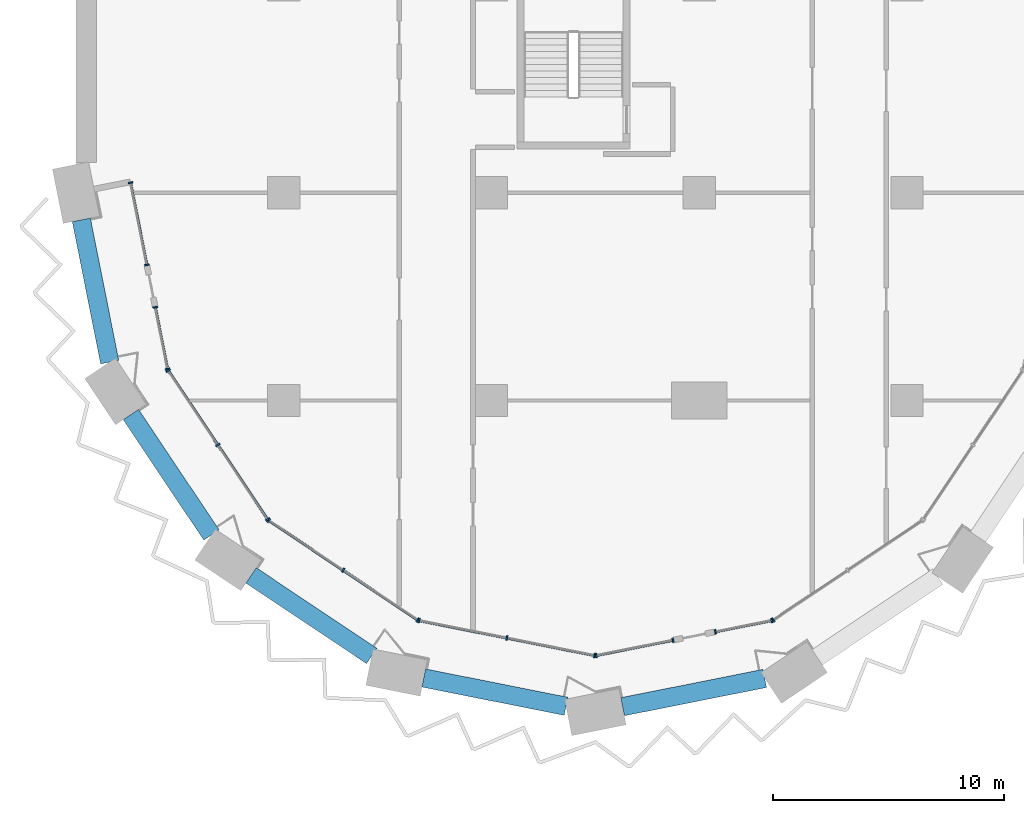
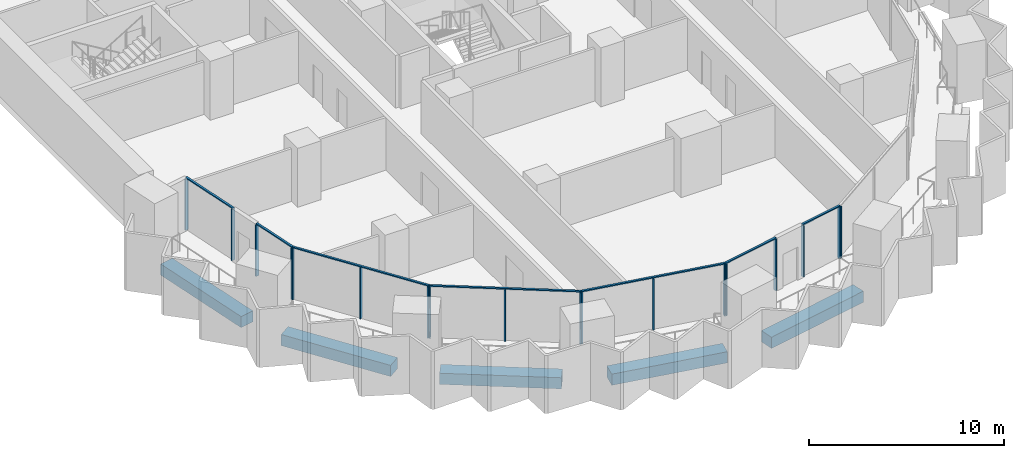
# One storey, part 2 of 28: 25 members, 5 beams, 8 elements without a shape of their own.
"""IFC4 building model written with IfcOpenShell, lengths in metres."""

from ifc_helpers import new_model, si_unit, direction, frame, origin, origin_2d, place, context, subcontext, project, spatial, rectangle, extrude, material, material_profile, profile_set, type_object, element, aggregate, save


model = new_model("IFC4")

# Units and contexts
model_context = context("Model", 3, precision=1e-05, world=origin(), true_north=direction((0.0, 1.0)))
body_context = subcontext(model_context, "Body", "Model", "MODEL_VIEW")
ifc_project = project(units=[si_unit("LENGTHUNIT", "METRE"), si_unit("AREAUNIT", "SQUARE_METRE"), si_unit("VOLUMEUNIT", "CUBIC_METRE"), si_unit("PLANEANGLEUNIT", "RADIAN"), si_unit("MASSUNIT", "GRAM", prefix="KILO")], contexts=[model_context])

# Site, building, storey
site_placement = place(None, origin())
site = spatial("IfcSite", under=ifc_project, at=site_placement, CompositionType="ELEMENT")
building_placement = place(site_placement, origin())
building = spatial("IfcBuilding", under=site, at=building_placement, Name="Hunhe Ridgeline Campus", CompositionType="ELEMENT")
storey_placement = place(building_placement, frame((0.0, 0.0, 39.5)))
storey = spatial("IfcBuildingStorey", under=building, at=storey_placement, Name="L08", CompositionType="ELEMENT", Elevation=39.5)

# Curtain wall, members
ifc_material_1 = material(Name="Aluminium 6063", Category="aluminium")
curtain_wall_type = type_object("IfcCurtainWallType", Name="Curtain wall CW-5", PredefinedType="NOTDEFINED", material=ifc_material_1)
curtain_wall_1_placement = place(storey_placement, origin())
curtain_wall_1 = element("IfcCurtainWall", 1, at=curtain_wall_1_placement, inside=storey, type_object=curtain_wall_type, Name="Curtain wall 01", PredefinedType="NOTDEFINED")
ifc_material_profile_1 = material_profile(ifc_material_1, rectangle(XDim=0.199951171875, YDim=0.070068359375, at=origin_2d()))
ifc_profile_set_1 = profile_set([ifc_material_profile_1], Name="Aluminium 6063")
member_type_1 = type_object("IfcMemberType", Name="CW-5 aluminium mullion", PredefinedType="MULLION", material=ifc_profile_set_1)
member_1_placement = place(storey_placement, frame((2.361572265625, 27.434326171875, 0.0), z_axis=(0.0, 0.0, 1.0), x_axis=(0.980784284924, 0.195095326561, 0.0)))
member_1 = element("IfcMember", 2, at=member_1_placement, type_object=member_type_1, Name="CW-5 mullion 1", PredefinedType="MULLION", context=body_context, shape_type="SweptSolid", body=[
    extrude(rectangle(XDim=0.199951171875, YDim=0.070068359375, at=origin_2d()), origin(), (0.0, 0.0, 1.0), 3.22998046875),
])
member_2_placement = place(storey_placement, frame((3.070068359375, 23.873291015625, 0.0), z_axis=(0.0, 0.0, 1.0), x_axis=(0.980784284924, 0.195095326561, 0.0)))
member_2 = element("IfcMember", 3, at=member_2_placement, type_object=member_type_1, Name="CW-5 mullion 2", PredefinedType="MULLION", context=body_context, shape_type="SweptSolid", body=[
    extrude(rectangle(XDim=0.199951171875, YDim=0.070068359375, at=origin_2d()), origin(), (0.0, 0.0, 1.0), 3.22998046875),
])

curtain_wall_2_placement = place(storey_placement, origin())
curtain_wall_2 = element("IfcCurtainWall", 4, at=curtain_wall_2_placement, inside=storey, type_object=curtain_wall_type, Name="Curtain wall 02", PredefinedType="NOTDEFINED")
member_3_placement = place(storey_placement, frame((3.434814453125, 22.0390625, 0.0), z_axis=(0.0, 0.0, 1.0), x_axis=(0.980784297053, 0.195095265587, 0.0)))
member_3 = element("IfcMember", 5, at=member_3_placement, type_object=member_type_1, Name="CW-5 mullion 1", PredefinedType="MULLION", context=body_context, shape_type="SweptSolid", body=[
    extrude(rectangle(XDim=0.199951171875, YDim=0.070068359375, at=origin_2d()), origin(), (0.0, 0.0, 1.0), 3.22998046875),
])
member_4_placement = place(storey_placement, frame((3.967529296875, 19.36083984375, 0.0), z_axis=(0.0, 0.0, 1.0), x_axis=(0.980784297053, 0.195095265587, 0.0)))
member_4 = element("IfcMember", 6, at=member_4_placement, type_object=member_type_1, Name="CW-5 mullion 2", PredefinedType="MULLION", context=body_context, shape_type="SweptSolid", body=[
    extrude(rectangle(XDim=0.199951171875, YDim=0.070068359375, at=origin_2d()), origin(), (0.0, 0.0, 1.0), 3.22998046875),
])

curtain_wall_3_placement = place(storey_placement, origin())
curtain_wall_3 = element("IfcCurtainWall", 7, at=curtain_wall_3_placement, inside=storey, type_object=curtain_wall_type, Name="Curtain wall 03", PredefinedType="NOTDEFINED")
member_5_placement = place(storey_placement, frame((3.993896484375, 19.29736328125, 0.0), z_axis=(0.0, 0.0, 1.0), x_axis=(0.831469584522, 0.555570274596, 0.0)))
member_5 = element("IfcMember", 8, at=member_5_placement, type_object=member_type_1, Name="CW-5 mullion 1", PredefinedType="MULLION", context=body_context, shape_type="SweptSolid", body=[
    extrude(rectangle(XDim=0.199951171875, YDim=0.070068359375, at=origin_2d()), origin(), (0.0, 0.0, 1.0), 3.22998046875),
])
member_6_placement = place(storey_placement, frame((6.147705078125, 16.07373046875, 0.0), z_axis=(0.0, 0.0, 1.0), x_axis=(0.831469584522, 0.555570274596, 0.0)))
member_6 = element("IfcMember", 9, at=member_6_placement, type_object=member_type_1, Name="CW-5 mullion 2", PredefinedType="MULLION", context=body_context, shape_type="SweptSolid", body=[
    extrude(rectangle(XDim=0.199951171875, YDim=0.070068359375, at=origin_2d()), origin(), (0.0, 0.0, 1.0), 3.22998046875),
])
member_7_placement = place(storey_placement, frame((8.3017578125, 12.850341796875, 0.0), z_axis=(0.0, 0.0, 1.0), x_axis=(0.831469584522, 0.555570274596, 0.0)))
member_7 = element("IfcMember", 10, at=member_7_placement, type_object=member_type_1, Name="CW-5 mullion 3", PredefinedType="MULLION", context=body_context, shape_type="SweptSolid", body=[
    extrude(rectangle(XDim=0.199951171875, YDim=0.070068359375, at=origin_2d()), origin(), (0.0, 0.0, 1.0), 3.22998046875),
])

curtain_wall_4_placement = place(storey_placement, origin())
curtain_wall_4 = element("IfcCurtainWall", 11, at=curtain_wall_4_placement, inside=storey, type_object=curtain_wall_type, Name="Curtain wall 04", PredefinedType="NOTDEFINED")
member_8_placement = place(storey_placement, frame((8.350341796875, 12.8017578125, 0.0), z_axis=(0.0, 0.0, 1.0), x_axis=(0.555570274596, 0.831469584522, 0.0)))
member_8 = element("IfcMember", 12, at=member_8_placement, type_object=member_type_1, Name="CW-5 mullion 1", PredefinedType="MULLION", context=body_context, shape_type="SweptSolid", body=[
    extrude(rectangle(XDim=0.199951171875, YDim=0.070068359375, at=origin_2d()), origin(), (0.0, 0.0, 1.0), 3.22998046875),
])
member_9_placement = place(storey_placement, frame((11.57373046875, 10.647705078125, 0.0), z_axis=(0.0, 0.0, 1.0), x_axis=(0.555570274596, 0.831469584522, 0.0)))
member_9 = element("IfcMember", 13, at=member_9_placement, type_object=member_type_1, Name="CW-5 mullion 2", PredefinedType="MULLION", context=body_context, shape_type="SweptSolid", body=[
    extrude(rectangle(XDim=0.199951171875, YDim=0.070068359375, at=origin_2d()), origin(), (0.0, 0.0, 1.0), 3.22998046875),
])
member_10_placement = place(storey_placement, frame((14.79736328125, 8.493896484375, 0.0), z_axis=(0.0, 0.0, 1.0), x_axis=(0.555570274596, 0.831469584522, 0.0)))
member_10 = element("IfcMember", 14, at=member_10_placement, type_object=member_type_1, Name="CW-5 mullion 3", PredefinedType="MULLION", context=body_context, shape_type="SweptSolid", body=[
    extrude(rectangle(XDim=0.199951171875, YDim=0.070068359375, at=origin_2d()), origin(), (0.0, 0.0, 1.0), 3.22998046875),
])

curtain_wall_5_placement = place(storey_placement, origin())
curtain_wall_5 = element("IfcCurtainWall", 15, at=curtain_wall_5_placement, inside=storey, type_object=curtain_wall_type, Name="Curtain wall 05", PredefinedType="NOTDEFINED")
member_11_placement = place(storey_placement, frame((14.86083984375, 8.467529296875, 0.0), z_axis=(0.0, 0.0, 1.0), x_axis=(0.195090347539, 0.980785275326, 0.0)))
member_11 = element("IfcMember", 16, at=member_11_placement, type_object=member_type_1, Name="CW-5 mullion 1", PredefinedType="MULLION", context=body_context, shape_type="SweptSolid", body=[
    extrude(rectangle(XDim=0.199951171875, YDim=0.070068359375, at=origin_2d()), origin(), (0.0, 0.0, 1.0), 3.22998046875),
])
member_12_placement = place(storey_placement, frame((18.663330078125, 7.711181640625, 0.0), z_axis=(0.0, 0.0, 1.0), x_axis=(0.195090347539, 0.980785275326, 0.0)))
member_12 = element("IfcMember", 17, at=member_12_placement, type_object=member_type_1, Name="CW-5 mullion 2", PredefinedType="MULLION", context=body_context, shape_type="SweptSolid", body=[
    extrude(rectangle(XDim=0.199951171875, YDim=0.070068359375, at=origin_2d()), origin(), (0.0, 0.0, 1.0), 3.22998046875),
])
member_13_placement = place(storey_placement, frame((22.465576171875, 6.954833984375, 0.0), z_axis=(0.0, 0.0, 1.0), x_axis=(0.195090347539, 0.980785275326, 0.0)))
member_13 = element("IfcMember", 18, at=member_13_placement, type_object=member_type_1, Name="CW-5 mullion 3", PredefinedType="MULLION", context=body_context, shape_type="SweptSolid", body=[
    extrude(rectangle(XDim=0.199951171875, YDim=0.070068359375, at=origin_2d()), origin(), (0.0, 0.0, 1.0), 3.22998046875),
])

curtain_wall_6_placement = place(storey_placement, origin())
curtain_wall_6 = element("IfcCurtainWall", 19, at=curtain_wall_6_placement, inside=storey, type_object=curtain_wall_type, Name="Curtain wall 06", PredefinedType="NOTDEFINED")
member_14_placement = place(storey_placement, frame((22.534423828125, 6.954833984375, 0.0), z_axis=(0.0, 0.0, 1.0), x_axis=(-0.19509037034, 0.980785270791, 0.0)))
member_14 = element("IfcMember", 20, at=member_14_placement, type_object=member_type_1, Name="CW-5 mullion 1", PredefinedType="MULLION", context=body_context, shape_type="SweptSolid", body=[
    extrude(rectangle(XDim=0.199951171875, YDim=0.070068359375, at=origin_2d()), origin(), (0.0, 0.0, 1.0), 3.22998046875),
])
member_15_placement = place(storey_placement, frame((25.861083984375, 7.61669921875, 0.0), z_axis=(0.0, 0.0, 1.0), x_axis=(-0.19509037034, 0.980785270791, 0.0)))
member_15 = element("IfcMember", 21, at=member_15_placement, type_object=member_type_1, Name="CW-5 mullion 2", PredefinedType="MULLION", context=body_context, shape_type="SweptSolid", body=[
    extrude(rectangle(XDim=0.199951171875, YDim=0.070068359375, at=origin_2d()), origin(), (0.0, 0.0, 1.0), 3.22998046875),
])

curtain_wall_7_placement = place(storey_placement, origin())
curtain_wall_7 = element("IfcCurtainWall", 22, at=curtain_wall_7_placement, inside=storey, type_object=curtain_wall_type, Name="Curtain wall 07", PredefinedType="NOTDEFINED")
member_16_placement = place(storey_placement, frame((27.695068359375, 7.9814453125, 0.0), z_axis=(0.0, 0.0, 1.0), x_axis=(-0.195090514627, 0.980785242091, 0.0)))
member_16 = element("IfcMember", 23, at=member_16_placement, type_object=member_type_1, Name="CW-5 mullion 1", PredefinedType="MULLION", context=body_context, shape_type="SweptSolid", body=[
    extrude(rectangle(XDim=0.199951171875, YDim=0.070068359375, at=origin_2d()), origin(), (0.0, 0.0, 1.0), 3.22998046875),
])
member_17_placement = place(storey_placement, frame((30.13916015625, 8.467529296875, 0.0), z_axis=(0.0, 0.0, 1.0), x_axis=(-0.195090514627, 0.980785242091, 0.0)))
member_17 = element("IfcMember", 24, at=member_17_placement, type_object=member_type_1, Name="CW-5 mullion 2", PredefinedType="MULLION", context=body_context, shape_type="SweptSolid", body=[
    extrude(rectangle(XDim=0.199951171875, YDim=0.070068359375, at=origin_2d()), origin(), (0.0, 0.0, 1.0), 3.22998046875),
])

# Curtain wall, member
curtain_wall_8_placement = place(storey_placement, origin())
curtain_wall_8 = element("IfcCurtainWall", 25, at=curtain_wall_8_placement, inside=storey, type_object=curtain_wall_type, Name="Curtain wall 08", PredefinedType="NOTDEFINED")
member_18_placement = place(storey_placement, frame((30.20263671875, 8.493896484375, 0.0), z_axis=(0.0, 0.0, 1.0), x_axis=(-0.555570274596, 0.831469584522, 0.0)))
member_18 = element("IfcMember", 26, at=member_18_placement, type_object=member_type_1, Name="CW-5 mullion 1", PredefinedType="MULLION", context=body_context, shape_type="SweptSolid", body=[
    extrude(rectangle(XDim=0.199951171875, YDim=0.070068359375, at=origin_2d()), origin(), (0.0, 0.0, 1.0), 3.22998046875),
])
aggregate(curtain_wall_8, [member_18])

# Member
ifc_material_profile_2 = material_profile(ifc_material_1, rectangle(XDim=0.1201171875, YDim=0.070068359375, at=origin_2d()))
ifc_profile_set_2 = profile_set([ifc_material_profile_2], Name="Aluminium 6063")
member_type_2 = type_object("IfcMemberType", Name="CW-5 aluminium transom", PredefinedType="USERDEFINED", material=ifc_profile_set_2)
member_19_placement = place(storey_placement, frame((2.354736328125, 27.46875, 3.264892578125), z_axis=(0.195126549745, -0.980778073564, 0.0), x_axis=(0.980778073564, 0.195126549745, 0.0)))
member_19 = element("IfcMember", 27, at=member_19_placement, type_object=member_type_2, Name="CW-5 transom 1", ObjectType="TRANSOM", PredefinedType="USERDEFINED", context=body_context, shape_type="SweptSolid", body=[
    extrude(rectangle(XDim=0.1201171875, YDim=0.070068359375, at=origin_2d()), origin(), (0.0, 0.0, 1.0), 3.700927734375),
])

aggregate(curtain_wall_1, [member_19, member_1, member_2])

member_20_placement = place(storey_placement, frame((3.427978515625, 22.073486328125, 3.264892578125), z_axis=(0.195076742145, -0.98078798151, 0.0), x_axis=(0.98078798151, 0.195076742145, 0.0)))
member_20 = element("IfcMember", 28, at=member_20_placement, type_object=member_type_2, Name="CW-5 transom 1", ObjectType="TRANSOM", PredefinedType="USERDEFINED", context=body_context, shape_type="SweptSolid", body=[
    extrude(rectangle(XDim=0.1201171875, YDim=0.070068359375, at=origin_2d()), origin(), (0.0, 0.0, 1.0), 2.80078125),
])

aggregate(curtain_wall_2, [member_20, member_3, member_4])

member_21_placement = place(storey_placement, frame((3.974365234375, 19.326416015625, 3.264892578125), z_axis=(0.5555640203, -0.831473763475, 0.0), x_axis=(0.831473763475, 0.5555640203, 0.0)))
member_21 = element("IfcMember", 29, at=member_21_placement, type_object=member_type_2, Name="CW-5 transom 1", ObjectType="TRANSOM", PredefinedType="USERDEFINED", context=body_context, shape_type="SweptSolid", body=[
    extrude(rectangle(XDim=0.1201171875, YDim=0.070068359375, at=origin_2d()), origin(), (0.0, 0.0, 1.0), 7.823974609375),
])

aggregate(curtain_wall_3, [member_21, member_5, member_6, member_7])

member_22_placement = place(storey_placement, frame((8.321044921875, 12.821044921875, 3.264892578125), z_axis=(0.831473763475, -0.5555640203, 0.0), x_axis=(0.5555640203, 0.831473763475, 0.0)))
member_22 = element("IfcMember", 30, at=member_22_placement, type_object=member_type_2, Name="CW-5 transom 1", ObjectType="TRANSOM", PredefinedType="USERDEFINED", context=body_context, shape_type="SweptSolid", body=[
    extrude(rectangle(XDim=0.1201171875, YDim=0.070068359375, at=origin_2d()), origin(), (0.0, 0.0, 1.0), 7.823974609375),
])

aggregate(curtain_wall_4, [member_22, member_8, member_9, member_10])

member_23_placement = place(storey_placement, frame((14.826416015625, 8.474365234375, 3.264892578125), z_axis=(0.980785367689, -0.195089883198, 0.0), x_axis=(0.195089883198, 0.980785367689, 0.0)))
member_23 = element("IfcMember", 31, at=member_23_placement, type_object=member_type_2, Name="CW-5 transom 1", ObjectType="TRANSOM", PredefinedType="USERDEFINED", context=body_context, shape_type="SweptSolid", body=[
    extrude(rectangle(XDim=0.1201171875, YDim=0.070068359375, at=origin_2d()), origin(), (0.0, 0.0, 1.0), 7.823974609375),
])

aggregate(curtain_wall_5, [member_23, member_11, member_12, member_13])

member_24_placement = place(storey_placement, frame((22.5, 6.947998046875, 3.264892578125), z_axis=(0.980778171596, 0.195126057004, 0.0), x_axis=(-0.195126057004, 0.980778171596, 0.0)))
member_24 = element("IfcMember", 32, at=member_24_placement, type_object=member_type_2, Name="CW-5 transom 1", ObjectType="TRANSOM", PredefinedType="USERDEFINED", context=body_context, shape_type="SweptSolid", body=[
    extrude(rectangle(XDim=0.1201171875, YDim=0.070068359375, at=origin_2d()), origin(), (0.0, 0.0, 1.0), 3.462158203125),
])

aggregate(curtain_wall_6, [member_24, member_14, member_15])

member_25_placement = place(storey_placement, frame((27.660888671875, 7.974609375, 3.264892578125), z_axis=(0.980789038007, 0.195071430315, 0.0), x_axis=(-0.195071430315, 0.980789038007, 0.0)))
member_25 = element("IfcMember", 33, at=member_25_placement, type_object=member_type_2, Name="CW-5 transom 1", ObjectType="TRANSOM", PredefinedType="USERDEFINED", context=body_context, shape_type="SweptSolid", body=[
    extrude(rectangle(XDim=0.1201171875, YDim=0.070068359375, at=origin_2d()), origin(), (0.0, 0.0, 1.0), 2.56201171875),
])

aggregate(curtain_wall_7, [member_25, member_16, member_17])

# Beams
ifc_material_2 = material(Name="Concrete C60", Category="concrete")
ifc_material_profile_3 = material_profile(ifc_material_2, rectangle(XDim=0.800048828125, YDim=0.699951171875, at=origin_2d()))
ifc_profile_set_3 = profile_set([ifc_material_profile_3], Name="Concrete C60")
beam_type = type_object("IfcBeamType", Name="RC spandrel beam 800x700 Concrete C60", PredefinedType="SPANDREL", material=ifc_profile_set_3)
for number, where, z_axis, x_axis, name in (
    (34, (0.234130859375, 25.822998046875, -0.60009765625), (0.195076855144, -0.980787959034, 0.0), (0.980787959034, 0.195076855144, 0.0), "Spandrel beam B1-1 L08"),
    (35, (2.37939453125, 17.391845703125, -0.60009765625), (0.555570106491, -0.831469696846, 0.0), (0.831469696846, 0.555570106491, 0.0), "Spandrel beam B1-2 L08"),
    (36, (7.587890625, 10.42333984375, -0.60009765625), (0.831469696846, -0.555570106491, 0.0), (0.555570106491, 0.831469696846, 0.0), "Spandrel beam B1-3 L08"),
    (37, (15.066650390625, 5.978515625, -0.60009765625), (0.980787959034, -0.195076855144, 0.0), (0.195076855144, 0.980787959034, 0.0), "Spandrel beam B1-4 L08"),
    (38, (23.677001953125, 4.734130859375, -0.60009765625), (0.980787959034, 0.195076855144, 0.0), (-0.195076855144, 0.980787959034, 0.0), "Spandrel beam B1-5 L08"),
):
    element("IfcBeam", number, at=place(storey_placement, frame(where, z_axis=z_axis, x_axis=x_axis)), inside=storey, type_object=beam_type, Name=name, PredefinedType="SPANDREL", context=body_context, shape_type="SweptSolid", body=[
        extrude(rectangle(XDim=0.800048828125, YDim=0.699951171875, at=origin_2d()), origin(), (0.0, 0.0, 1.0), 6.280029296875),
    ])

save(model, "model.ifc")
